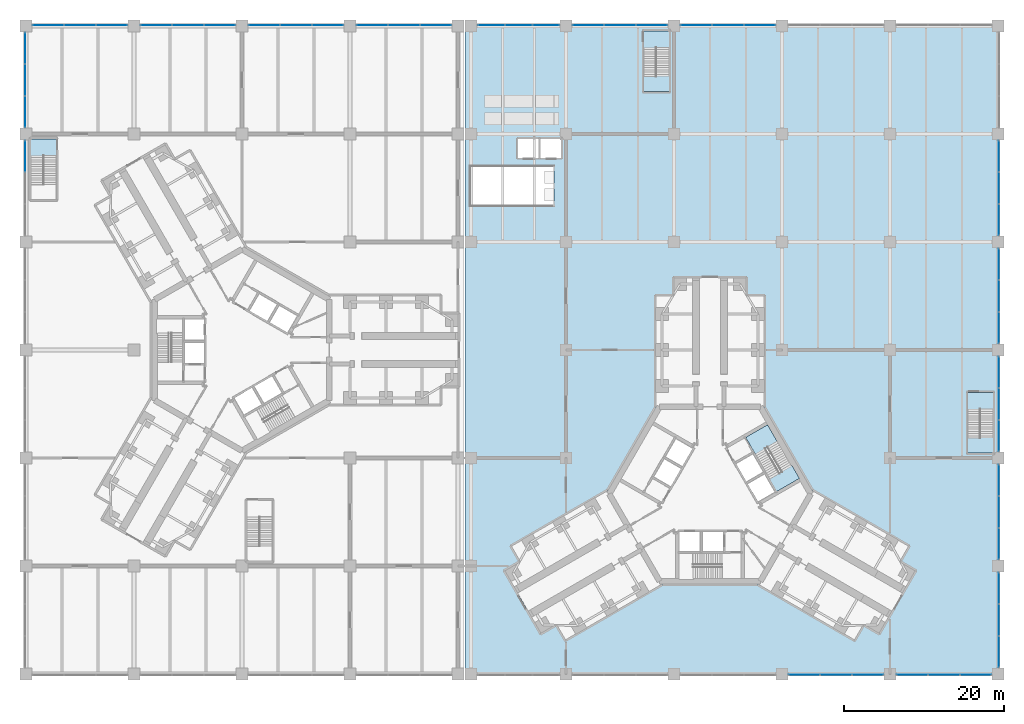
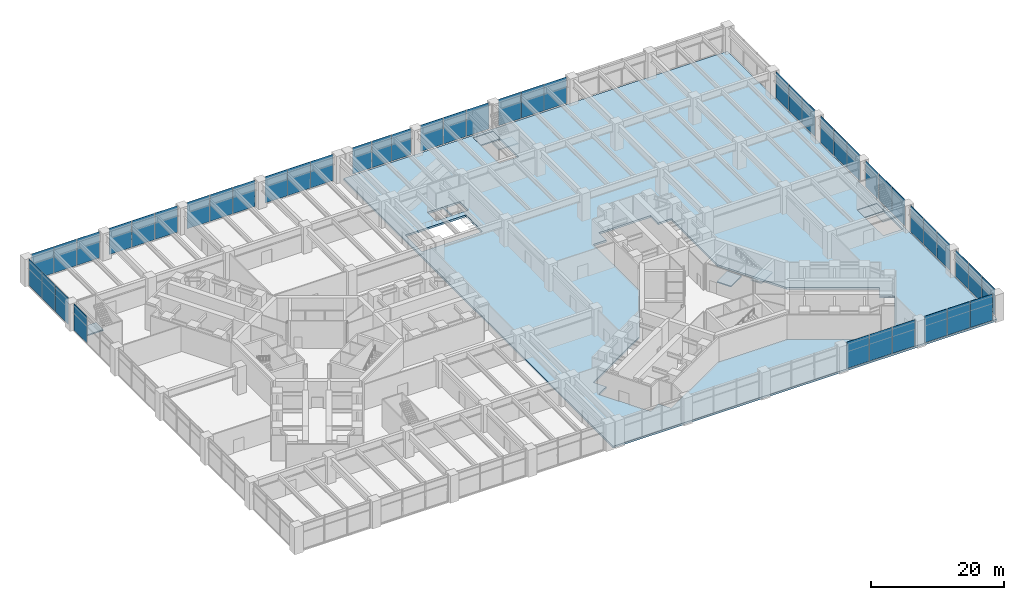
# One storey, part 19 of 32: 46 plates, 8 slabs, 20 elements without a shape of their own.
"""IFC4 building model written with IfcOpenShell, lengths in metres."""

from ifc_helpers import new_model, si_unit, direction, frame, origin, origin_2d, place, context, subcontext, project, spatial, polyline, rectangle, outline, extrude, material, layer, layer_set, type_object, element, aggregate, save


model = new_model("IFC4")

# Units and contexts
model_context = context("Model", 3, precision=1e-05, world=origin(), true_north=direction((0.0, 1.0)))
body_context = subcontext(model_context, "Body", "Model", "MODEL_VIEW")
ifc_project = project(units=[si_unit("LENGTHUNIT", "METRE"), si_unit("AREAUNIT", "SQUARE_METRE"), si_unit("VOLUMEUNIT", "CUBIC_METRE"), si_unit("PLANEANGLEUNIT", "RADIAN"), si_unit("MASSUNIT", "GRAM", prefix="KILO")], contexts=[model_context])

# Site, building, storey
site_placement = place(None, origin())
site = spatial("IfcSite", under=ifc_project, at=site_placement, CompositionType="ELEMENT")
building_placement = place(site_placement, origin())
building = spatial("IfcBuilding", under=site, at=building_placement, Name="Upepo Twin Towers", CompositionType="ELEMENT")
storey_placement = place(building_placement, frame((0.0, 0.0, 5.5)))
storey = spatial("IfcBuildingStorey", under=building, at=storey_placement, Name="L01", CompositionType="ELEMENT", Elevation=5.5)

# Curtain wall, plates
ifc_material_1 = material(Name="Aluminium and clear glass", Category="aluminium")
curtain_wall_type = type_object("IfcCurtainWallType", Name="Podium curtain wall PW1", PredefinedType="NOTDEFINED", material=ifc_material_1)
curtain_wall_1_placement = place(storey_placement, origin())
curtain_wall_1 = element("IfcCurtainWall", 1, at=curtain_wall_1_placement, inside=storey, type_object=curtain_wall_type, Name="Podium L01 curtain wall S8", PredefinedType="NOTDEFINED")
ifc_material_2 = material(Name="Ceramic-fritted laminated glass", Category="glass")
ifc_layer_1 = layer(ifc_material_2, 0.031982421875)
ifc_layer_set_1 = layer_set([ifc_layer_1], Name="Fritted glass panel, 32 mm double glazed")
plate_type_1 = type_object("IfcPlateType", Name="Fritted glass panel, 32 mm double glazed", PredefinedType="CURTAIN_PANEL", material=ifc_layer_set_1)
plate_1_placement = place(storey_placement, frame((70.28955078125, -40.60009765625, 0.14990234375), z_axis=(0.0, 0.0, 1.0), x_axis=(1.0, 0.0, 0.0)))
plate_1 = element("IfcPlate", 2, at=plate_1_placement, type_object=plate_type_1, Name="Podium L01 curtain wall S8 panel 1", PredefinedType="CURTAIN_PANEL", context=body_context, shape_type="SweptSolid", body=[
    extrude(rectangle(XDim=3.879150390625, YDim=0.031982421875, at=origin_2d()), origin(), (0.0, 0.0, 1.0), 4.85009765625),
])
plate_2_placement = place(storey_placement, frame((78.21044921875, -40.60009765625, 0.14990234375), z_axis=(0.0, 0.0, 1.0), x_axis=(1.0, 0.0, 0.0)))
plate_2 = element("IfcPlate", 3, at=plate_2_placement, type_object=plate_type_1, Name="Podium L01 curtain wall S8 panel 3", PredefinedType="CURTAIN_PANEL", context=body_context, shape_type="SweptSolid", body=[
    extrude(rectangle(XDim=3.879150390625, YDim=0.031982421875, at=origin_2d()), origin(), (0.0, 0.0, 1.0), 4.85009765625),
])

curtain_wall_2_placement = place(storey_placement, origin())
curtain_wall_2 = element("IfcCurtainWall", 4, at=curtain_wall_2_placement, inside=storey, type_object=curtain_wall_type, Name="Podium L01 curtain wall S9", PredefinedType="NOTDEFINED")
plate_3_placement = place(storey_placement, frame((83.78955078125, -40.60009765625, 0.14990234375), z_axis=(0.0, 0.0, 1.0), x_axis=(1.0, 0.0, 0.0)))
plate_3 = element("IfcPlate", 5, at=plate_3_placement, type_object=plate_type_1, Name="Podium L01 curtain wall S9 panel 1", PredefinedType="CURTAIN_PANEL", context=body_context, shape_type="SweptSolid", body=[
    extrude(rectangle(XDim=3.879150390625, YDim=0.031982421875, at=origin_2d()), origin(), (0.0, 0.0, 1.0), 4.85009765625),
])
plate_4_placement = place(storey_placement, frame((91.71044921875, -40.60009765625, 0.14990234375), z_axis=(0.0, 0.0, 1.0), x_axis=(1.0, 0.0, 0.0)))
plate_4 = element("IfcPlate", 6, at=plate_4_placement, type_object=plate_type_1, Name="Podium L01 curtain wall S9 panel 3", PredefinedType="CURTAIN_PANEL", context=body_context, shape_type="SweptSolid", body=[
    extrude(rectangle(XDim=3.879150390625, YDim=0.031982421875, at=origin_2d()), origin(), (0.0, 0.0, 1.0), 4.85009765625),
])

curtain_wall_3_placement = place(storey_placement, origin())
curtain_wall_3 = element("IfcCurtainWall", 7, at=curtain_wall_3_placement, inside=storey, type_object=curtain_wall_type, Name="Podium L01 curtain wall E1", PredefinedType="NOTDEFINED")
plate_5_placement = place(storey_placement, frame((94.60009765625, -37.71044921875, 0.14990234375), z_axis=(0.0, 0.0, 1.0), x_axis=(0.0, 1.0, 0.0)))
plate_5 = element("IfcPlate", 8, at=plate_5_placement, type_object=plate_type_1, Name="Podium L01 curtain wall E1 panel 1", PredefinedType="CURTAIN_PANEL", context=body_context, shape_type="SweptSolid", body=[
    extrude(rectangle(XDim=3.879150390625, YDim=0.031982421875, at=origin_2d()), origin(), (0.0, 0.0, 1.0), 4.85009765625),
])
plate_6_placement = place(storey_placement, frame((94.60009765625, -29.78955078125, 0.14990234375), z_axis=(0.0, 0.0, 1.0), x_axis=(0.0, 1.0, 0.0)))
plate_6 = element("IfcPlate", 9, at=plate_6_placement, type_object=plate_type_1, Name="Podium L01 curtain wall E1 panel 3", PredefinedType="CURTAIN_PANEL", context=body_context, shape_type="SweptSolid", body=[
    extrude(rectangle(XDim=3.879150390625, YDim=0.031982421875, at=origin_2d()), origin(), (0.0, 0.0, 1.0), 4.85009765625),
])

curtain_wall_4_placement = place(storey_placement, origin())
curtain_wall_4 = element("IfcCurtainWall", 10, at=curtain_wall_4_placement, inside=storey, type_object=curtain_wall_type, Name="Podium L01 curtain wall E2", PredefinedType="NOTDEFINED")
plate_7_placement = place(storey_placement, frame((94.60009765625, -24.21044921875, 0.14990234375), z_axis=(0.0, 0.0, 1.0), x_axis=(0.0, 1.0, 0.0)))
plate_7 = element("IfcPlate", 11, at=plate_7_placement, type_object=plate_type_1, Name="Podium L01 curtain wall E2 panel 1", PredefinedType="CURTAIN_PANEL", context=body_context, shape_type="SweptSolid", body=[
    extrude(rectangle(XDim=3.879150390625, YDim=0.031982421875, at=origin_2d()), origin(), (0.0, 0.0, 1.0), 4.85009765625),
])
plate_8_placement = place(storey_placement, frame((94.60009765625, -16.28955078125, 0.14990234375), z_axis=(0.0, 0.0, 1.0), x_axis=(0.0, 1.0, 0.0)))
plate_8 = element("IfcPlate", 12, at=plate_8_placement, type_object=plate_type_1, Name="Podium L01 curtain wall E2 panel 3", PredefinedType="CURTAIN_PANEL", context=body_context, shape_type="SweptSolid", body=[
    extrude(rectangle(XDim=3.879150390625, YDim=0.031982421875, at=origin_2d()), origin(), (0.0, 0.0, 1.0), 4.85009765625),
])

curtain_wall_5_placement = place(storey_placement, origin())
curtain_wall_5 = element("IfcCurtainWall", 13, at=curtain_wall_5_placement, inside=storey, type_object=curtain_wall_type, Name="Podium L01 curtain wall E3", PredefinedType="NOTDEFINED")
plate_9_placement = place(storey_placement, frame((94.60009765625, -10.71044921875, 0.14990234375), z_axis=(0.0, 0.0, 1.0), x_axis=(0.0, 1.0, 0.0)))
plate_9 = element("IfcPlate", 14, at=plate_9_placement, type_object=plate_type_1, Name="Podium L01 curtain wall E3 panel 1", PredefinedType="CURTAIN_PANEL", context=body_context, shape_type="SweptSolid", body=[
    extrude(rectangle(XDim=3.879150390625, YDim=0.031982421875, at=origin_2d()), origin(), (0.0, 0.0, 1.0), 4.85009765625),
])
plate_10_placement = place(storey_placement, frame((94.60009765625, -2.78955078125, 0.14990234375), z_axis=(0.0, 0.0, 1.0), x_axis=(0.0, 1.0, 0.0)))
plate_10 = element("IfcPlate", 15, at=plate_10_placement, type_object=plate_type_1, Name="Podium L01 curtain wall E3 panel 3", PredefinedType="CURTAIN_PANEL", context=body_context, shape_type="SweptSolid", body=[
    extrude(rectangle(XDim=3.879150390625, YDim=0.031982421875, at=origin_2d()), origin(), (0.0, 0.0, 1.0), 4.85009765625),
])

curtain_wall_6_placement = place(storey_placement, origin())
curtain_wall_6 = element("IfcCurtainWall", 16, at=curtain_wall_6_placement, inside=storey, type_object=curtain_wall_type, Name="Podium L01 curtain wall E4", PredefinedType="NOTDEFINED")
plate_11_placement = place(storey_placement, frame((94.60009765625, 2.78955078125, 0.14990234375), z_axis=(0.0, 0.0, 1.0), x_axis=(0.0, 1.0, 0.0)))
plate_11 = element("IfcPlate", 17, at=plate_11_placement, type_object=plate_type_1, Name="Podium L01 curtain wall E4 panel 1", PredefinedType="CURTAIN_PANEL", context=body_context, shape_type="SweptSolid", body=[
    extrude(rectangle(XDim=3.879150390625, YDim=0.031982421875, at=origin_2d()), origin(), (0.0, 0.0, 1.0), 4.85009765625),
])
plate_12_placement = place(storey_placement, frame((94.60009765625, 10.71044921875, 0.14990234375), z_axis=(0.0, 0.0, 1.0), x_axis=(0.0, 1.0, 0.0)))
plate_12 = element("IfcPlate", 18, at=plate_12_placement, type_object=plate_type_1, Name="Podium L01 curtain wall E4 panel 3", PredefinedType="CURTAIN_PANEL", context=body_context, shape_type="SweptSolid", body=[
    extrude(rectangle(XDim=3.879150390625, YDim=0.031982421875, at=origin_2d()), origin(), (0.0, 0.0, 1.0), 4.85009765625),
])

curtain_wall_7_placement = place(storey_placement, origin())
curtain_wall_7 = element("IfcCurtainWall", 19, at=curtain_wall_7_placement, inside=storey, type_object=curtain_wall_type, Name="Podium L01 curtain wall E5", PredefinedType="NOTDEFINED")
plate_13_placement = place(storey_placement, frame((94.60009765625, 16.28955078125, 0.14990234375), z_axis=(0.0, 0.0, 1.0), x_axis=(0.0, 1.0, 0.0)))
plate_13 = element("IfcPlate", 20, at=plate_13_placement, type_object=plate_type_1, Name="Podium L01 curtain wall E5 panel 1", PredefinedType="CURTAIN_PANEL", context=body_context, shape_type="SweptSolid", body=[
    extrude(rectangle(XDim=3.879150390625, YDim=0.031982421875, at=origin_2d()), origin(), (0.0, 0.0, 1.0), 4.85009765625),
])
plate_14_placement = place(storey_placement, frame((94.60009765625, 24.21044921875, 0.14990234375), z_axis=(0.0, 0.0, 1.0), x_axis=(0.0, 1.0, 0.0)))
plate_14 = element("IfcPlate", 21, at=plate_14_placement, type_object=plate_type_1, Name="Podium L01 curtain wall E5 panel 3", PredefinedType="CURTAIN_PANEL", context=body_context, shape_type="SweptSolid", body=[
    extrude(rectangle(XDim=3.879150390625, YDim=0.031982421875, at=origin_2d()), origin(), (0.0, 0.0, 1.0), 4.85009765625),
])

curtain_wall_8_placement = place(storey_placement, origin())
curtain_wall_8 = element("IfcCurtainWall", 22, at=curtain_wall_8_placement, inside=storey, type_object=curtain_wall_type, Name="Podium L01 curtain wall N3", PredefinedType="NOTDEFINED")
plate_15_placement = place(storey_placement, frame((64.71044921875, 40.60009765625, 0.14990234375), z_axis=(0.0, 0.0, 1.0), x_axis=(-1.0, 0.0, 0.0)))
plate_15 = element("IfcPlate", 23, at=plate_15_placement, type_object=plate_type_1, Name="Podium L01 curtain wall N3 panel 1", PredefinedType="CURTAIN_PANEL", context=body_context, shape_type="SweptSolid", body=[
    extrude(rectangle(XDim=3.879150390625, YDim=0.031982421875, at=origin_2d()), origin(), (0.0, 0.0, 1.0), 4.85009765625),
])
plate_16_placement = place(storey_placement, frame((56.78955078125, 40.60009765625, 0.14990234375), z_axis=(0.0, 0.0, 1.0), x_axis=(-1.0, 0.0, 0.0)))
plate_16 = element("IfcPlate", 24, at=plate_16_placement, type_object=plate_type_1, Name="Podium L01 curtain wall N3 panel 3", PredefinedType="CURTAIN_PANEL", context=body_context, shape_type="SweptSolid", body=[
    extrude(rectangle(XDim=3.879150390625, YDim=0.031982421875, at=origin_2d()), origin(), (0.0, 0.0, 1.0), 4.85009765625),
])

curtain_wall_9_placement = place(storey_placement, origin())
curtain_wall_9 = element("IfcCurtainWall", 25, at=curtain_wall_9_placement, inside=storey, type_object=curtain_wall_type, Name="Podium L01 curtain wall N4", PredefinedType="NOTDEFINED")
plate_17_placement = place(storey_placement, frame((51.21044921875, 40.60009765625, 0.14990234375), z_axis=(0.0, 0.0, 1.0), x_axis=(-1.0, 0.0, 0.0)))
plate_17 = element("IfcPlate", 26, at=plate_17_placement, type_object=plate_type_1, Name="Podium L01 curtain wall N4 panel 1", PredefinedType="CURTAIN_PANEL", context=body_context, shape_type="SweptSolid", body=[
    extrude(rectangle(XDim=3.879150390625, YDim=0.031982421875, at=origin_2d()), origin(), (0.0, 0.0, 1.0), 4.85009765625),
])
plate_18_placement = place(storey_placement, frame((43.28955078125, 40.60009765625, 0.14990234375), z_axis=(0.0, 0.0, 1.0), x_axis=(-1.0, 0.0, 0.0)))
plate_18 = element("IfcPlate", 27, at=plate_18_placement, type_object=plate_type_1, Name="Podium L01 curtain wall N4 panel 3", PredefinedType="CURTAIN_PANEL", context=body_context, shape_type="SweptSolid", body=[
    extrude(rectangle(XDim=3.879150390625, YDim=0.031982421875, at=origin_2d()), origin(), (0.0, 0.0, 1.0), 4.85009765625),
])

curtain_wall_10_placement = place(storey_placement, origin())
curtain_wall_10 = element("IfcCurtainWall", 28, at=curtain_wall_10_placement, inside=storey, type_object=curtain_wall_type, Name="Podium L01 curtain wall N5", PredefinedType="NOTDEFINED")
plate_19_placement = place(storey_placement, frame((37.9853515625, 40.60009765625, 0.14990234375), z_axis=(0.0, 0.0, 1.0), x_axis=(-1.0, 0.0, 0.0)))
plate_19 = element("IfcPlate", 29, at=plate_19_placement, type_object=plate_type_1, Name="Podium L01 curtain wall N5 panel 1", PredefinedType="CURTAIN_PANEL", context=body_context, shape_type="SweptSolid", body=[
    extrude(rectangle(XDim=3.3291015625, YDim=0.031982421875, at=origin_2d()), origin(), (0.0, 0.0, 1.0), 4.85009765625),
])
plate_20_placement = place(storey_placement, frame((31.16455078125, 40.60009765625, 0.14990234375), z_axis=(0.0, 0.0, 1.0), x_axis=(-1.0, 0.0, 0.0)))
plate_20 = element("IfcPlate", 30, at=plate_20_placement, type_object=plate_type_1, Name="Podium L01 curtain wall N5 panel 3", PredefinedType="CURTAIN_PANEL", context=body_context, shape_type="SweptSolid", body=[
    extrude(rectangle(XDim=3.3291015625, YDim=0.031982421875, at=origin_2d()), origin(), (0.0, 0.0, 1.0), 4.85009765625),
])

curtain_wall_11_placement = place(storey_placement, origin())
curtain_wall_11 = element("IfcCurtainWall", 31, at=curtain_wall_11_placement, inside=storey, type_object=curtain_wall_type, Name="Podium L01 curtain wall N6", PredefinedType="NOTDEFINED")
plate_21_placement = place(storey_placement, frame((24.21044921875, 40.60009765625, 0.14990234375), z_axis=(0.0, 0.0, 1.0), x_axis=(-1.0, 0.0, 0.0)))
plate_21 = element("IfcPlate", 32, at=plate_21_placement, type_object=plate_type_1, Name="Podium L01 curtain wall N6 panel 1", PredefinedType="CURTAIN_PANEL", context=body_context, shape_type="SweptSolid", body=[
    extrude(rectangle(XDim=3.879150390625, YDim=0.031982421875, at=origin_2d()), origin(), (0.0, 0.0, 1.0), 4.85009765625),
])
plate_22_placement = place(storey_placement, frame((16.28955078125, 40.60009765625, 0.14990234375), z_axis=(0.0, 0.0, 1.0), x_axis=(-1.0, 0.0, 0.0)))
plate_22 = element("IfcPlate", 33, at=plate_22_placement, type_object=plate_type_1, Name="Podium L01 curtain wall N6 panel 3", PredefinedType="CURTAIN_PANEL", context=body_context, shape_type="SweptSolid", body=[
    extrude(rectangle(XDim=3.879150390625, YDim=0.031982421875, at=origin_2d()), origin(), (0.0, 0.0, 1.0), 4.85009765625),
])

curtain_wall_12_placement = place(storey_placement, origin())
curtain_wall_12 = element("IfcCurtainWall", 34, at=curtain_wall_12_placement, inside=storey, type_object=curtain_wall_type, Name="Podium L01 curtain wall N7", PredefinedType="NOTDEFINED")
plate_23_placement = place(storey_placement, frame((10.71044921875, 40.60009765625, 0.14990234375), z_axis=(0.0, 0.0, 1.0), x_axis=(-1.0, 0.0, 0.0)))
plate_23 = element("IfcPlate", 35, at=plate_23_placement, type_object=plate_type_1, Name="Podium L01 curtain wall N7 panel 1", PredefinedType="CURTAIN_PANEL", context=body_context, shape_type="SweptSolid", body=[
    extrude(rectangle(XDim=3.879150390625, YDim=0.031982421875, at=origin_2d()), origin(), (0.0, 0.0, 1.0), 4.85009765625),
])
plate_24_placement = place(storey_placement, frame((2.78955078125, 40.60009765625, 0.14990234375), z_axis=(0.0, 0.0, 1.0), x_axis=(-1.0, 0.0, 0.0)))
plate_24 = element("IfcPlate", 36, at=plate_24_placement, type_object=plate_type_1, Name="Podium L01 curtain wall N7 panel 3", PredefinedType="CURTAIN_PANEL", context=body_context, shape_type="SweptSolid", body=[
    extrude(rectangle(XDim=3.879150390625, YDim=0.031982421875, at=origin_2d()), origin(), (0.0, 0.0, 1.0), 4.85009765625),
])

curtain_wall_13_placement = place(storey_placement, origin())
curtain_wall_13 = element("IfcCurtainWall", 37, at=curtain_wall_13_placement, inside=storey, type_object=curtain_wall_type, Name="Podium L01 curtain wall N8", PredefinedType="NOTDEFINED")
plate_25_placement = place(storey_placement, frame((-2.78955078125, 40.60009765625, 0.14990234375), z_axis=(0.0, 0.0, 1.0), x_axis=(-1.0, 0.0, 0.0)))
plate_25 = element("IfcPlate", 38, at=plate_25_placement, type_object=plate_type_1, Name="Podium L01 curtain wall N8 panel 1", PredefinedType="CURTAIN_PANEL", context=body_context, shape_type="SweptSolid", body=[
    extrude(rectangle(XDim=3.879150390625, YDim=0.031982421875, at=origin_2d()), origin(), (0.0, 0.0, 1.0), 4.85009765625),
])
plate_26_placement = place(storey_placement, frame((-10.71044921875, 40.60009765625, 0.14990234375), z_axis=(0.0, 0.0, 1.0), x_axis=(-1.0, 0.0, 0.0)))
plate_26 = element("IfcPlate", 39, at=plate_26_placement, type_object=plate_type_1, Name="Podium L01 curtain wall N8 panel 3", PredefinedType="CURTAIN_PANEL", context=body_context, shape_type="SweptSolid", body=[
    extrude(rectangle(XDim=3.879150390625, YDim=0.031982421875, at=origin_2d()), origin(), (0.0, 0.0, 1.0), 4.85009765625),
])

curtain_wall_14_placement = place(storey_placement, origin())
curtain_wall_14 = element("IfcCurtainWall", 40, at=curtain_wall_14_placement, inside=storey, type_object=curtain_wall_type, Name="Podium L01 curtain wall N9", PredefinedType="NOTDEFINED")
plate_27_placement = place(storey_placement, frame((-16.28955078125, 40.60009765625, 0.14990234375), z_axis=(0.0, 0.0, 1.0), x_axis=(-1.0, 0.0, 0.0)))
plate_27 = element("IfcPlate", 41, at=plate_27_placement, type_object=plate_type_1, Name="Podium L01 curtain wall N9 panel 1", PredefinedType="CURTAIN_PANEL", context=body_context, shape_type="SweptSolid", body=[
    extrude(rectangle(XDim=3.879150390625, YDim=0.031982421875, at=origin_2d()), origin(), (0.0, 0.0, 1.0), 4.85009765625),
])
plate_28_placement = place(storey_placement, frame((-24.21044921875, 40.60009765625, 0.14990234375), z_axis=(0.0, 0.0, 1.0), x_axis=(-1.0, 0.0, 0.0)))
plate_28 = element("IfcPlate", 42, at=plate_28_placement, type_object=plate_type_1, Name="Podium L01 curtain wall N9 panel 3", PredefinedType="CURTAIN_PANEL", context=body_context, shape_type="SweptSolid", body=[
    extrude(rectangle(XDim=3.879150390625, YDim=0.031982421875, at=origin_2d()), origin(), (0.0, 0.0, 1.0), 4.85009765625),
])

curtain_wall_15_placement = place(storey_placement, origin())
curtain_wall_15 = element("IfcCurtainWall", 43, at=curtain_wall_15_placement, inside=storey, type_object=curtain_wall_type, Name="Podium L01 curtain wall W1", PredefinedType="NOTDEFINED")
plate_29_placement = place(storey_placement, frame((-27.10009765625, 37.71044921875, 0.14990234375), z_axis=(0.0, 0.0, 1.0), x_axis=(0.0, -1.0, 0.0)))
plate_29 = element("IfcPlate", 44, at=plate_29_placement, type_object=plate_type_1, Name="Podium L01 curtain wall W1 panel 1", PredefinedType="CURTAIN_PANEL", context=body_context, shape_type="SweptSolid", body=[
    extrude(rectangle(XDim=3.879150390625, YDim=0.031982421875, at=origin_2d()), origin(), (0.0, 0.0, 1.0), 4.85009765625),
])
plate_30_placement = place(storey_placement, frame((-27.10009765625, 29.78955078125, 0.14990234375), z_axis=(0.0, 0.0, 1.0), x_axis=(0.0, -1.0, 0.0)))
plate_30 = element("IfcPlate", 45, at=plate_30_placement, type_object=plate_type_1, Name="Podium L01 curtain wall W1 panel 3", PredefinedType="CURTAIN_PANEL", context=body_context, shape_type="SweptSolid", body=[
    extrude(rectangle(XDim=3.879150390625, YDim=0.031982421875, at=origin_2d()), origin(), (0.0, 0.0, 1.0), 4.85009765625),
])

# Curtain wall, plate
curtain_wall_16_placement = place(storey_placement, origin())
curtain_wall_16 = element("IfcCurtainWall", 46, at=curtain_wall_16_placement, inside=storey, type_object=curtain_wall_type, Name="Podium L01 curtain wall W2", PredefinedType="NOTDEFINED")
plate_31_placement = place(storey_placement, frame((-27.10009765625, 24.21044921875, 0.14990234375), z_axis=(0.0, 0.0, 1.0), x_axis=(0.0, -1.0, 0.0)))
plate_31 = element("IfcPlate", 47, at=plate_31_placement, type_object=plate_type_1, Name="Podium L01 curtain wall W2 panel 1", PredefinedType="CURTAIN_PANEL", context=body_context, shape_type="SweptSolid", body=[
    extrude(rectangle(XDim=3.879150390625, YDim=0.031982421875, at=origin_2d()), origin(), (0.0, 0.0, 1.0), 4.85009765625),
])
aggregate(curtain_wall_16, [plate_31])

# Plate
ifc_material_3 = material(Name="Clear laminated glass in opening sash", Category="glass")
ifc_layer_2 = layer(ifc_material_3, 0.031982421875)
ifc_layer_set_2 = layer_set([ifc_layer_2], Name="Operable glass panel, 32 mm double glazed")
plate_type_2 = type_object("IfcPlateType", Name="Operable glass panel, 32 mm double glazed", PredefinedType="CURTAIN_PANEL", material=ifc_layer_set_2)
plate_32_placement = place(storey_placement, frame((74.25, -40.60009765625, 0.14990234375), z_axis=(0.0, 0.0, 1.0), x_axis=(1.0, 0.0, 0.0)))
plate_32 = element("IfcPlate", 48, at=plate_32_placement, type_object=plate_type_2, Name="Podium L01 curtain wall S8 panel 2", PredefinedType="CURTAIN_PANEL", context=body_context, shape_type="SweptSolid", body=[
    extrude(rectangle(XDim=3.91162109375, YDim=0.031982421875, at=origin_2d()), origin(), (0.0, 0.0, 1.0), 4.85009765625),
])

aggregate(curtain_wall_1, [plate_1, plate_32, plate_2])

plate_33_placement = place(storey_placement, frame((87.75, -40.60009765625, 0.14990234375), z_axis=(0.0, 0.0, 1.0), x_axis=(1.0, 0.0, 0.0)))
plate_33 = element("IfcPlate", 49, at=plate_33_placement, type_object=plate_type_2, Name="Podium L01 curtain wall S9 panel 2", PredefinedType="CURTAIN_PANEL", context=body_context, shape_type="SweptSolid", body=[
    extrude(rectangle(XDim=3.91162109375, YDim=0.031982421875, at=origin_2d()), origin(), (0.0, 0.0, 1.0), 4.85009765625),
])

aggregate(curtain_wall_2, [plate_3, plate_33, plate_4])

plate_34_placement = place(storey_placement, frame((94.60009765625, -33.75, 0.14990234375), z_axis=(0.0, 0.0, 1.0), x_axis=(0.0, 1.0, 0.0)))
plate_34 = element("IfcPlate", 50, at=plate_34_placement, type_object=plate_type_2, Name="Podium L01 curtain wall E1 panel 2", PredefinedType="CURTAIN_PANEL", context=body_context, shape_type="SweptSolid", body=[
    extrude(rectangle(XDim=3.91162109375, YDim=0.031982421875, at=origin_2d()), origin(), (0.0, 0.0, 1.0), 4.85009765625),
])

aggregate(curtain_wall_3, [plate_5, plate_34, plate_6])

plate_35_placement = place(storey_placement, frame((94.60009765625, -20.25, 0.14990234375), z_axis=(0.0, 0.0, 1.0), x_axis=(0.0, 1.0, 0.0)))
plate_35 = element("IfcPlate", 51, at=plate_35_placement, type_object=plate_type_2, Name="Podium L01 curtain wall E2 panel 2", PredefinedType="CURTAIN_PANEL", context=body_context, shape_type="SweptSolid", body=[
    extrude(rectangle(XDim=3.91162109375, YDim=0.031982421875, at=origin_2d()), origin(), (0.0, 0.0, 1.0), 4.85009765625),
])

aggregate(curtain_wall_4, [plate_7, plate_35, plate_8])

plate_36_placement = place(storey_placement, frame((94.60009765625, -6.75, 0.14990234375), z_axis=(0.0, 0.0, 1.0), x_axis=(0.0, 1.0, 0.0)))
plate_36 = element("IfcPlate", 52, at=plate_36_placement, type_object=plate_type_2, Name="Podium L01 curtain wall E3 panel 2", PredefinedType="CURTAIN_PANEL", context=body_context, shape_type="SweptSolid", body=[
    extrude(rectangle(XDim=3.91162109375, YDim=0.031982421875, at=origin_2d()), origin(), (0.0, 0.0, 1.0), 4.85009765625),
])

aggregate(curtain_wall_5, [plate_9, plate_36, plate_10])

plate_37_placement = place(storey_placement, frame((94.60009765625, 6.75, 0.14990234375), z_axis=(0.0, 0.0, 1.0), x_axis=(0.0, 1.0, 0.0)))
plate_37 = element("IfcPlate", 53, at=plate_37_placement, type_object=plate_type_2, Name="Podium L01 curtain wall E4 panel 2", PredefinedType="CURTAIN_PANEL", context=body_context, shape_type="SweptSolid", body=[
    extrude(rectangle(XDim=3.91162109375, YDim=0.031982421875, at=origin_2d()), origin(), (0.0, 0.0, 1.0), 4.85009765625),
])

aggregate(curtain_wall_6, [plate_11, plate_37, plate_12])

plate_38_placement = place(storey_placement, frame((94.60009765625, 20.25, 0.14990234375), z_axis=(0.0, 0.0, 1.0), x_axis=(0.0, 1.0, 0.0)))
plate_38 = element("IfcPlate", 54, at=plate_38_placement, type_object=plate_type_2, Name="Podium L01 curtain wall E5 panel 2", PredefinedType="CURTAIN_PANEL", context=body_context, shape_type="SweptSolid", body=[
    extrude(rectangle(XDim=3.91162109375, YDim=0.031982421875, at=origin_2d()), origin(), (0.0, 0.0, 1.0), 4.85009765625),
])

aggregate(curtain_wall_7, [plate_13, plate_38, plate_14])

plate_39_placement = place(storey_placement, frame((60.75, 40.60009765625, 0.14990234375), z_axis=(0.0, 0.0, 1.0), x_axis=(-1.0, 0.0, 0.0)))
plate_39 = element("IfcPlate", 55, at=plate_39_placement, type_object=plate_type_2, Name="Podium L01 curtain wall N3 panel 2", PredefinedType="CURTAIN_PANEL", context=body_context, shape_type="SweptSolid", body=[
    extrude(rectangle(XDim=3.91162109375, YDim=0.031982421875, at=origin_2d()), origin(), (0.0, 0.0, 1.0), 4.85009765625),
])

aggregate(curtain_wall_8, [plate_15, plate_39, plate_16])

plate_40_placement = place(storey_placement, frame((47.25, 40.60009765625, 0.14990234375), z_axis=(0.0, 0.0, 1.0), x_axis=(-1.0, 0.0, 0.0)))
plate_40 = element("IfcPlate", 56, at=plate_40_placement, type_object=plate_type_2, Name="Podium L01 curtain wall N4 panel 2", PredefinedType="CURTAIN_PANEL", context=body_context, shape_type="SweptSolid", body=[
    extrude(rectangle(XDim=3.91162109375, YDim=0.031982421875, at=origin_2d()), origin(), (0.0, 0.0, 1.0), 4.85009765625),
])

aggregate(curtain_wall_9, [plate_17, plate_40, plate_18])

plate_41_placement = place(storey_placement, frame((34.574951171875, 40.60009765625, 0.14990234375), z_axis=(0.0, 0.0, 1.0), x_axis=(-1.0, 0.0, 0.0)))
plate_41 = element("IfcPlate", 57, at=plate_41_placement, type_object=plate_type_2, Name="Podium L01 curtain wall N5 panel 2", PredefinedType="CURTAIN_PANEL", context=body_context, shape_type="SweptSolid", body=[
    extrude(rectangle(XDim=3.361572265625, YDim=0.031982421875, at=origin_2d()), origin(), (0.0, 0.0, 1.0), 4.85009765625),
])

aggregate(curtain_wall_10, [plate_19, plate_41, plate_20])

plate_42_placement = place(storey_placement, frame((20.25, 40.60009765625, 0.14990234375), z_axis=(0.0, 0.0, 1.0), x_axis=(-1.0, 0.0, 0.0)))
plate_42 = element("IfcPlate", 58, at=plate_42_placement, type_object=plate_type_2, Name="Podium L01 curtain wall N6 panel 2", PredefinedType="CURTAIN_PANEL", context=body_context, shape_type="SweptSolid", body=[
    extrude(rectangle(XDim=3.91162109375, YDim=0.031982421875, at=origin_2d()), origin(), (0.0, 0.0, 1.0), 4.85009765625),
])

aggregate(curtain_wall_11, [plate_21, plate_42, plate_22])

plate_43_placement = place(storey_placement, frame((6.75, 40.60009765625, 0.14990234375), z_axis=(0.0, 0.0, 1.0), x_axis=(-1.0, 0.0, 0.0)))
plate_43 = element("IfcPlate", 59, at=plate_43_placement, type_object=plate_type_2, Name="Podium L01 curtain wall N7 panel 2", PredefinedType="CURTAIN_PANEL", context=body_context, shape_type="SweptSolid", body=[
    extrude(rectangle(XDim=3.91162109375, YDim=0.031982421875, at=origin_2d()), origin(), (0.0, 0.0, 1.0), 4.85009765625),
])

aggregate(curtain_wall_12, [plate_23, plate_43, plate_24])

plate_44_placement = place(storey_placement, frame((-6.75, 40.60009765625, 0.14990234375), z_axis=(0.0, 0.0, 1.0), x_axis=(-1.0, 0.0, 0.0)))
plate_44 = element("IfcPlate", 60, at=plate_44_placement, type_object=plate_type_2, Name="Podium L01 curtain wall N8 panel 2", PredefinedType="CURTAIN_PANEL", context=body_context, shape_type="SweptSolid", body=[
    extrude(rectangle(XDim=3.91162109375, YDim=0.031982421875, at=origin_2d()), origin(), (0.0, 0.0, 1.0), 4.85009765625),
])

aggregate(curtain_wall_13, [plate_25, plate_44, plate_26])

plate_45_placement = place(storey_placement, frame((-20.25, 40.60009765625, 0.14990234375), z_axis=(0.0, 0.0, 1.0), x_axis=(-1.0, 0.0, 0.0)))
plate_45 = element("IfcPlate", 61, at=plate_45_placement, type_object=plate_type_2, Name="Podium L01 curtain wall N9 panel 2", PredefinedType="CURTAIN_PANEL", context=body_context, shape_type="SweptSolid", body=[
    extrude(rectangle(XDim=3.91162109375, YDim=0.031982421875, at=origin_2d()), origin(), (0.0, 0.0, 1.0), 4.85009765625),
])

aggregate(curtain_wall_14, [plate_27, plate_45, plate_28])

plate_46_placement = place(storey_placement, frame((-27.10009765625, 33.75, 0.14990234375), z_axis=(0.0, 0.0, 1.0), x_axis=(0.0, -1.0, 0.0)))
plate_46 = element("IfcPlate", 62, at=plate_46_placement, type_object=plate_type_2, Name="Podium L01 curtain wall W1 panel 2", PredefinedType="CURTAIN_PANEL", context=body_context, shape_type="SweptSolid", body=[
    extrude(rectangle(XDim=3.91162109375, YDim=0.031982421875, at=origin_2d()), origin(), (0.0, 0.0, 1.0), 4.85009765625),
])

aggregate(curtain_wall_15, [plate_29, plate_46, plate_30])

# Slab
ifc_material_4 = material(Name="Concrete C40/50", Category="concrete")
ifc_layer_3 = layer(ifc_material_4, 0.35009765625)
ifc_layer_set_3 = layer_set([ifc_layer_3], Name="Concrete C40/50")
slab_type_1 = type_object("IfcSlabType", Name="Podium floor slab 350 RC", PredefinedType="FLOOR", material=ifc_layer_set_3)
slab_1_placement = place(storey_placement, frame((0.0, 0.0, -0.35009765625)))
element("IfcSlab", 63, at=slab_1_placement, inside=storey, type_object=slab_type_1, Name="L01 podium floor slab east", PredefinedType="FLOOR", context=body_context, shape_type="SweptSolid", body=[
    extrude(outline(polyline([(94.5, -40.5), (27.89990234375, -40.5), (27.89990234375, 40.5), (94.5, 40.5), (94.5, -40.5)]), holes=[polyline([(82.18408203125, -26.477783203125), (84.132568359375, -27.602783203125), (79.632568359375, -35.397216796875), (77.68408203125, -34.272216796875), (76.55908203125, -36.220703125), (64.5, -29.25830078125), (52.5, -29.25830078125), (40.44091796875, -36.220703125), (39.31591796875, -34.272216796875), (37.367431640625, -35.397216796875), (32.867431640625, -27.602783203125), (34.81591796875, -26.477783203125), (33.69091796875, -24.529296875), (45.75, -17.56689453125), (51.75, -7.174560546875), (51.75, 6.75), (54.0, 6.75), (54.0, 9.0), (63.0, 9.0), (63.0, 6.75), (65.25, 6.75), (65.25, -7.174560546875), (71.25, -17.56689453125), (83.30908203125, -24.529296875), (82.18408203125, -26.477783203125)]), polyline([(94.0, -13.0), (94.0, -5.199951171875), (90.60009765625, -5.199951171875), (90.60009765625, -13.0), (94.0, -13.0)]), polyline([(53.5, 32.199951171875), (53.5, 40.0), (50.10009765625, 40.0), (50.10009765625, 32.199951171875), (53.5, 32.199951171875)]), polyline([(40.0, 23.89990234375), (40.0, 26.5), (37.300048828125, 26.5), (37.300048828125, 23.89990234375), (40.0, 23.89990234375)]), polyline([(37.10009765625, 23.89990234375), (37.10009765625, 26.5), (34.39990234375, 26.5), (34.39990234375, 23.89990234375), (37.10009765625, 23.89990234375)]), polyline([(39.0, 18.0), (39.0, 23.0), (28.5, 23.0), (28.5, 18.0), (39.0, 18.0)])]), origin(), (0.0, 0.0, 1.0), 0.35009765625),
])

# Stair, slabs
ifc_material_5 = material(Name="Concrete C40/50", Category="concrete")
stair_type_1 = type_object("IfcStairType", Name="Core stair, two flights", PredefinedType="HALF_TURN_STAIR", material=ifc_material_5)
stair_1_placement = place(storey_placement, origin())
stair_1 = element("IfcStair", 64, at=stair_1_placement, inside=storey, type_object=stair_type_1, Name="T2 stair S2 L01", PredefinedType="HALF_TURN_STAIR")
ifc_material_6 = material(Name="Concrete C40/50", Category="concrete")
ifc_layer_4 = layer(ifc_material_6, 0.199951171875)
ifc_layer_set_4 = layer_set([ifc_layer_4], Name="Concrete C40/50")
slab_type_2 = type_object("IfcSlabType", Name="Stair landing 200 RC", PredefinedType="LANDING", material=ifc_layer_set_4)
slab_2_placement = place(storey_placement, frame((0.0, 0.0, -0.199951171875)))
slab_2 = element("IfcSlab", 65, at=slab_2_placement, type_object=slab_type_2, Name="Stair S2 landing 1", PredefinedType="LANDING", context=body_context, shape_type="SweptSolid", body=[
    extrude(outline(polyline([(64.198486328125, -13.0703125), (66.933837890625, -11.490966796875), (65.69384765625, -9.34326171875), (62.95849609375, -10.922607421875), (64.198486328125, -13.0703125)])), origin(), (0.0, 0.0, 1.0), 0.199951171875),
])
slab_3_placement = place(storey_placement, frame((0.0, 0.0, 2.300048828125)))
slab_3 = element("IfcSlab", 66, at=slab_3_placement, type_object=slab_type_2, Name="Stair S2 landing 2", PredefinedType="LANDING", context=body_context, shape_type="SweptSolid", body=[
    extrude(outline(polyline([(66.77197265625, -17.7275390625), (69.680419921875, -16.04833984375), (68.740478515625, -14.420166015625), (65.83203125, -16.099365234375), (66.77197265625, -17.7275390625)])), origin(), (0.0, 0.0, 1.0), 0.199951171875),
])
aggregate(stair_1, [slab_2, slab_3])

# Stair, slab
ifc_material_7 = material(Name="Concrete C40/50", Category="concrete")
stair_type_2 = type_object("IfcStairType", Name="Podium stair, two flights", PredefinedType="HALF_TURN_STAIR", material=ifc_material_7)
stair_2_placement = place(storey_placement, origin())
stair_2 = element("IfcStair", 67, at=stair_2_placement, inside=storey, type_object=stair_type_2, Name="Podium stair PS1 L01", PredefinedType="HALF_TURN_STAIR")
slab_4_placement = place(storey_placement, frame((0.0, 0.0, -0.199951171875)))
slab_4 = element("IfcSlab", 68, at=slab_4_placement, type_object=slab_type_2, Name="Stair PS1 landing 1", PredefinedType="LANDING", context=body_context, shape_type="SweptSolid", body=[
    extrude(outline(polyline([(-26.5, 24.219970703125), (-23.10009765625, 24.219970703125), (-23.10009765625, 26.39990234375), (-26.5, 26.39990234375), (-26.5, 24.219970703125)])), origin(), (0.0, 0.0, 1.0), 0.199951171875),
])
aggregate(stair_2, [slab_4])

# Stair, slabs
stair_3_placement = place(storey_placement, origin())
stair_3 = element("IfcStair", 69, at=stair_3_placement, inside=storey, type_object=stair_type_2, Name="Podium stair PS2 L01", PredefinedType="HALF_TURN_STAIR")
slab_5_placement = place(storey_placement, frame((0.0, 0.0, -0.199951171875)))
slab_5 = element("IfcSlab", 70, at=slab_5_placement, type_object=slab_type_2, Name="Stair PS2 landing 1", PredefinedType="LANDING", context=body_context, shape_type="SweptSolid", body=[
    extrude(outline(polyline([(90.60009765625, -7.47998046875), (94.0, -7.47998046875), (94.0, -5.300048828125), (90.60009765625, -5.300048828125), (90.60009765625, -7.47998046875)])), origin(), (0.0, 0.0, 1.0), 0.199951171875),
])
slab_6_placement = place(storey_placement, frame((0.0, 0.0, 2.300048828125)))
slab_6 = element("IfcSlab", 71, at=slab_6_placement, type_object=slab_type_2, Name="Stair PS2 landing 2", PredefinedType="LANDING", context=body_context, shape_type="SweptSolid", body=[
    extrude(outline(polyline([(90.60009765625, -12.89990234375), (94.0, -12.89990234375), (94.0, -10.919921875), (90.60009765625, -10.919921875), (90.60009765625, -12.89990234375)])), origin(), (0.0, 0.0, 1.0), 0.199951171875),
])
aggregate(stair_3, [slab_5, slab_6])

stair_4_placement = place(storey_placement, origin())
stair_4 = element("IfcStair", 72, at=stair_4_placement, inside=storey, type_object=stair_type_2, Name="Podium stair PS4 L01", PredefinedType="HALF_TURN_STAIR")
slab_7_placement = place(storey_placement, frame((0.0, 0.0, -0.199951171875)))
slab_7 = element("IfcSlab", 73, at=slab_7_placement, type_object=slab_type_2, Name="Stair PS4 landing 1", PredefinedType="LANDING", context=body_context, shape_type="SweptSolid", body=[
    extrude(outline(polyline([(50.10009765625, 37.719970703125), (53.5, 37.719970703125), (53.5, 39.89990234375), (50.10009765625, 39.89990234375), (50.10009765625, 37.719970703125)])), origin(), (0.0, 0.0, 1.0), 0.199951171875),
])
slab_8_placement = place(storey_placement, frame((0.0, 0.0, 2.300048828125)))
slab_8 = element("IfcSlab", 74, at=slab_8_placement, type_object=slab_type_2, Name="Stair PS4 landing 2", PredefinedType="LANDING", context=body_context, shape_type="SweptSolid", body=[
    extrude(outline(polyline([(50.10009765625, 32.300048828125), (53.5, 32.300048828125), (53.5, 34.280029296875), (50.10009765625, 34.280029296875), (50.10009765625, 32.300048828125)])), origin(), (0.0, 0.0, 1.0), 0.199951171875),
])
aggregate(stair_4, [slab_7, slab_8])

save(model, "model.ifc")
